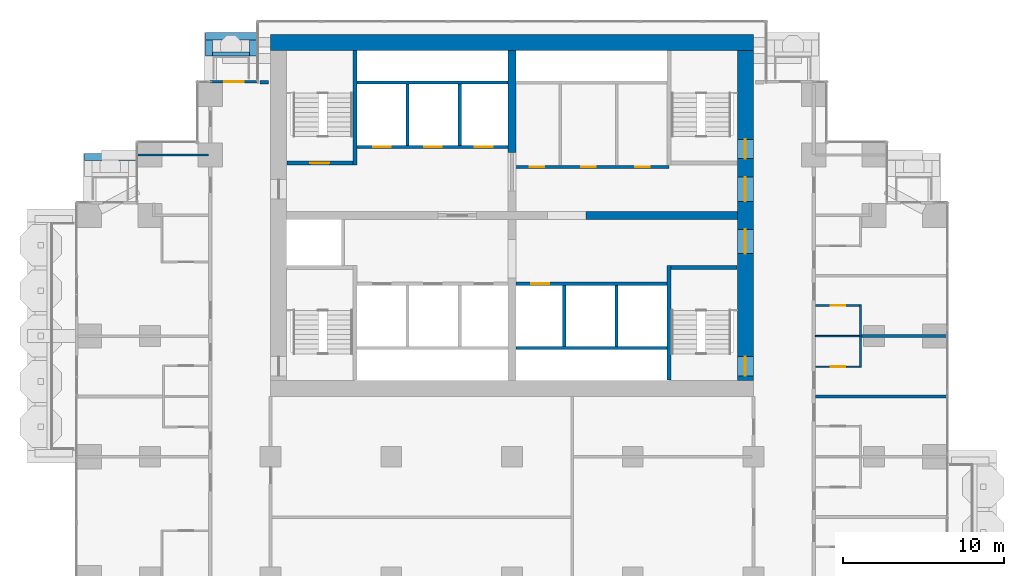
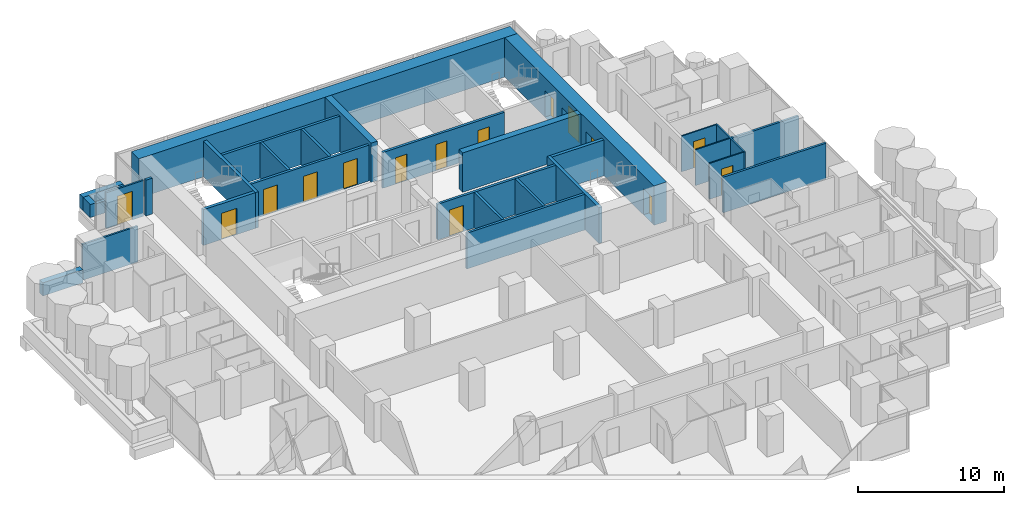
# One storey, part 14 of 18: 31 walls, 15 doors, 15 openings.
"""IFC4 building model written with IfcOpenShell, lengths in metres."""

from ifc_helpers import new_model, si_unit, direction, frame, frame_2d, origin, place, context, subcontext, project, spatial, rectangle, extrude, material, layer, layer_set, type_object, element, fill, save


model = new_model("IFC4")

# Units and contexts
model_context = context("Model", 3, precision=1e-05, world=origin(), true_north=direction((0.0, 1.0)))
body_context = subcontext(model_context, "Body", "Model", "MODEL_VIEW")
ifc_project = project(units=[si_unit("LENGTHUNIT", "METRE"), si_unit("AREAUNIT", "SQUARE_METRE"), si_unit("VOLUMEUNIT", "CUBIC_METRE"), si_unit("PLANEANGLEUNIT", "RADIAN"), si_unit("MASSUNIT", "GRAM", prefix="KILO")], contexts=[model_context])

# Site, building, storey
site_placement = place(None, origin())
site = spatial("IfcSite", under=ifc_project, at=site_placement, CompositionType="ELEMENT")
building_placement = place(site_placement, origin())
building = spatial("IfcBuilding", under=site, at=building_placement, Name="Pilkhan Gate Tower", CompositionType="ELEMENT")
storey_placement = place(building_placement, frame((0.0, 0.0, 82.39990234375)))
storey = spatial("IfcBuildingStorey", under=building, at=storey_placement, Name="L19", CompositionType="ELEMENT", Elevation=82.39990234375)

# Walls
ifc_material_1 = material(Name="Dense blockwork", Category="masonry")
ifc_layer_1 = layer(ifc_material_1, 0.175048828125)
ifc_layer_set_1 = layer_set([ifc_layer_1], Name="Acoustic party wall PW175")
wall_type_1 = type_object("IfcWallType", Name="Acoustic party wall PW175", PredefinedType="PARTITIONING", material=ifc_layer_set_1)
wall_1_placement = place(storey_placement, frame((93.85009765625, 71.25, 0.0), z_axis=(0.0, 0.0, 1.0), x_axis=(1.0, 0.0, 0.0)))
element("IfcWall", 1, at=wall_1_placement, inside=storey, type_object=wall_type_1, Name="Partition L19", PredefinedType="PARTITIONING", context=body_context, shape_type="SweptSolid", body=[
    extrude(rectangle(XDim=8.164794921875, YDim=0.175048828125, at=frame_2d((4.08251953125, 0.0))), origin(), (0.0, 0.0, 1.0), 3.0),
])
wall_2_placement = place(storey_placement, frame((96.699951171875, 75.0, 0.0), z_axis=(0.0, 0.0, 1.0), x_axis=(1.0, 0.0, 0.0)))
element("IfcWall", 2, at=wall_2_placement, inside=storey, type_object=wall_type_1, Name="Partition L19", PredefinedType="PARTITIONING", context=body_context, shape_type="SweptSolid", body=[
    extrude(rectangle(XDim=5.31494140625, YDim=0.175048828125, at=frame_2d((2.657470703125, 0.0))), origin(), (0.0, 0.0, 1.0), 3.0),
])
ifc_material_2 = material(Name="Concrete C40/50", Category="concrete")
ifc_layer_2 = layer(ifc_material_2, 0.25)
ifc_layer_set_2 = layer_set([ifc_layer_2], Name="Balcony planter BP250")
wall_type_2 = type_object("IfcWallType", Name="Balcony planter BP250", PredefinedType="USERDEFINED", material=ifc_layer_set_2)
wall_3_placement = place(storey_placement, frame((56.39990234375, 92.52490234375, 0.0), z_axis=(0.0, 0.0, 1.0), x_axis=(1.0, 0.0, 0.0)))
element("IfcWall", 3, at=wall_3_placement, inside=storey, type_object=wall_type_2, Name="Balcony planter L19 N", ObjectType="BALCONY PLANTER", PredefinedType="USERDEFINED", context=body_context, shape_type="SweptSolid", body=[
    extrude(rectangle(XDim=2.300048828125, YDim=0.25, at=frame_2d((1.14990234375, 0.0))), origin(), (0.0, 0.0, 1.0), 1.0),
])
ifc_material_3 = material(Name="Board-marked Concrete C40/50", Category="concrete")
ifc_layer_3 = layer(ifc_material_3, 0.449951171875)
ifc_layer_set_3 = layer_set([ifc_layer_3], Name="Balcony planter lip BL450")
wall_type_3 = type_object("IfcWallType", Name="Balcony planter lip BL450", PredefinedType="USERDEFINED", material=ifc_layer_set_3)
wall_4_placement = place(storey_placement, frame((55.949951171875, 93.625, 0.0), z_axis=(0.0, 0.0, 1.0), x_axis=(1.0, 0.0, 0.0)))
element("IfcWall", 4, at=wall_4_placement, inside=storey, type_object=wall_type_3, Name="Balcony planter L19 N", ObjectType="BALCONY PLANTER", PredefinedType="USERDEFINED", context=body_context, shape_type="SweptSolid", body=[
    extrude(rectangle(XDim=3.199951171875, YDim=0.449951171875, at=frame_2d((1.60009765625, 0.0))), origin(), (0.0, 0.0, 1.0), 1.10009765625),
])
for number, where, z_axis, x_axis, name in (
    (5, (56.175048828125, 92.39990234375, 0.0), (0.0, 0.0, 1.0), (0.0, 1.0, 0.0), "Balcony planter L19 N"),
    (6, (58.925048828125, 92.39990234375, 0.0), (0.0, 0.0, 1.0), (0.0, 1.0, 0.0), "Balcony planter L19 N"),
):
    element("IfcWall", number, at=place(storey_placement, frame(where, z_axis=z_axis, x_axis=x_axis)), inside=storey, type_object=wall_type_3, Name=name, ObjectType="BALCONY PLANTER", PredefinedType="USERDEFINED", context=body_context, shape_type="SweptSolid", body=[
        extrude(rectangle(XDim=1.0, YDim=0.449951171875, at=frame_2d((0.5, 0.0))), origin(), (0.0, 0.0, 1.0), 1.10009765625),
    ])
wall_5_placement = place(storey_placement, frame((48.449951171875, 86.125, 0.0), z_axis=(0.0, 0.0, 1.0), x_axis=(1.0, 0.0, 0.0)))
element("IfcWall", 7, at=wall_5_placement, inside=storey, type_object=wall_type_3, Name="Balcony planter L19 N", ObjectType="BALCONY PLANTER", PredefinedType="USERDEFINED", context=body_context, shape_type="SweptSolid", body=[
    extrude(rectangle(XDim=3.179931640625, YDim=0.449951171875, at=frame_2d((1.58984375, 0.0))), origin(), (0.0, 0.0, 1.0), 1.10009765625),
])

# Wall, openings, doors
ifc_material_4 = material(Name="Concrete C70/85", Category="concrete")
ifc_layer_4 = layer(ifc_material_4, 1.0)
ifc_layer_set_4 = layer_set([ifc_layer_4], Name="Core wall CW1000 C70/85")
wall_type_4 = type_object("IfcWallType", Name="Core wall CW1000 C70/85", PredefinedType="SHEAR", material=ifc_layer_set_4)
wall_6_placement = place(storey_placement, frame((89.5, 72.25, 0.0), z_axis=(0.0, 0.0, 1.0), x_axis=(0.0, 1.0, 0.0)))
wall_6 = element("IfcWall", 8, at=wall_6_placement, inside=storey, type_object=wall_type_4, Name="Core wall E L19", PredefinedType="SHEAR", context=body_context, shape_type="SweptSolid", body=[
    extrude(rectangle(XDim=20.5, YDim=1.0, at=frame_2d((10.25, 0.0))), origin(), (0.0, 0.0, 1.0), 3.300048828125),
])
opening_1_placement = place(wall_6_placement, frame((0.27490234375, 0.0, 0.0)))
opening_1 = element("IfcOpeningElement", 9, at=opening_1_placement, cuts=wall_6, Name="Opening L19-03", PredefinedType="OPENING", context=body_context, shape_type="SweptSolid", body=[
    extrude(rectangle(XDim=1.199951171875, YDim=2.199951171875, at=frame_2d((0.60009765625, 1.10009765625))), frame((0.0, 0.510009765625, 0.0), z_axis=(0.0, -1.0, 0.0), x_axis=(1.0, 0.0, 0.0)), (0.0, 0.0, 1.0), 1.02001953125),
])
opening_2_placement = place(wall_6_placement, frame((13.77490234375, 0.0, 0.0)))
opening_2 = element("IfcOpeningElement", 10, at=opening_2_placement, cuts=wall_6, Name="Opening L19-05", PredefinedType="OPENING", context=body_context, shape_type="SweptSolid", body=[
    extrude(rectangle(XDim=1.199951171875, YDim=2.199951171875, at=frame_2d((0.60009765625, 1.10009765625))), frame((0.0, 0.510009765625, 0.0), z_axis=(0.0, -1.0, 0.0), x_axis=(1.0, 0.0, 0.0)), (0.0, 0.0, 1.0), 1.02001953125),
])
opening_3_placement = place(wall_6_placement, frame((7.875, 0.0, 0.0)))
opening_3 = element("IfcOpeningElement", 11, at=opening_3_placement, cuts=wall_6, Name="Opening L19-44", PredefinedType="OPENING", context=body_context, shape_type="SweptSolid", body=[
    extrude(rectangle(XDim=1.5, YDim=2.199951171875, at=frame_2d((0.75, 1.10009765625))), frame((0.0, 0.510009765625, 0.0), z_axis=(0.0, -1.0, 0.0), x_axis=(1.0, 0.0, 0.0)), (0.0, 0.0, 1.0), 1.02001953125),
])
opening_4_placement = place(wall_6_placement, frame((11.125, 0.0, 0.0)))
opening_4 = element("IfcOpeningElement", 12, at=opening_4_placement, cuts=wall_6, Name="Opening L19-46", PredefinedType="OPENING", context=body_context, shape_type="SweptSolid", body=[
    extrude(rectangle(XDim=1.5, YDim=2.199951171875, at=frame_2d((0.75, 1.10009765625))), frame((0.0, 0.510009765625, 0.0), z_axis=(0.0, -1.0, 0.0), x_axis=(1.0, 0.0, 0.0)), (0.0, 0.0, 1.0), 1.02001953125),
])
ifc_material_5 = material(Name="Steel framed glazed door, 60 minute fire resisting", Category="steel")
door_type_1 = type_object("IfcDoorType", Name="Lobby door D09 1500x2200", OperationType="DOUBLE_DOOR_SINGLE_SWING", PredefinedType="DOOR", material=ifc_material_5)
door_1_placement = place(opening_3_placement, origin())
door_1 = element("IfcDoor", 13, at=door_1_placement, inside=storey, type_object=door_type_1, Name="Core door", OperationType="DOUBLE_DOOR_SINGLE_SWING", OverallHeight=2.199951171875, OverallWidth=1.5, PredefinedType="DOOR", context=body_context, shape_type="SweptSolid", body=[
    extrude(rectangle(XDim=1.5, YDim=2.199951171875, at=frame_2d((0.75, 1.10009765625))), frame((0.0, 0.02490234375, 0.0), z_axis=(0.0, -1.0, 0.0), x_axis=(1.0, 0.0, 0.0)), (0.0, 0.0, 1.0), 0.050048828125),
])
fill(opening_3, door_1)
door_2_placement = place(opening_4_placement, origin())
door_2 = element("IfcDoor", 14, at=door_2_placement, inside=storey, type_object=door_type_1, Name="Core door", OperationType="DOUBLE_DOOR_SINGLE_SWING", OverallHeight=2.199951171875, OverallWidth=1.5, PredefinedType="DOOR", context=body_context, shape_type="SweptSolid", body=[
    extrude(rectangle(XDim=1.5, YDim=2.199951171875, at=frame_2d((0.75, 1.10009765625))), frame((0.0, 0.02490234375, 0.0), z_axis=(0.0, -1.0, 0.0), x_axis=(1.0, 0.0, 0.0)), (0.0, 0.0, 1.0), 0.050048828125),
])
fill(opening_4, door_2)
ifc_material_6 = material(Name="Steel door, 120 minute fire resisting, panic bar", Category="steel")
door_type_2 = type_object("IfcDoorType", Name="Stair door D11 1200x2200", OperationType="SINGLE_SWING_LEFT", PredefinedType="DOOR", material=ifc_material_6)
door_3_placement = place(opening_1_placement, origin())
door_3 = element("IfcDoor", 15, at=door_3_placement, inside=storey, type_object=door_type_2, Name="Stair ST1 door", OperationType="SINGLE_SWING_LEFT", OverallHeight=2.199951171875, OverallWidth=1.199951171875, PredefinedType="DOOR", context=body_context, shape_type="SweptSolid", body=[
    extrude(rectangle(XDim=1.199951171875, YDim=2.199951171875, at=frame_2d((0.60009765625, 1.10009765625))), frame((0.0, 0.02490234375, 0.0), z_axis=(0.0, -1.0, 0.0), x_axis=(1.0, 0.0, 0.0)), (0.0, 0.0, 1.0), 0.050048828125),
])
fill(opening_1, door_3)
door_4_placement = place(opening_2_placement, origin())
door_4 = element("IfcDoor", 16, at=door_4_placement, inside=storey, type_object=door_type_2, Name="Stair ST4 door", OperationType="SINGLE_SWING_RIGHT", OverallHeight=2.199951171875, OverallWidth=1.199951171875, PredefinedType="DOOR", context=body_context, shape_type="SweptSolid", body=[
    extrude(rectangle(XDim=1.199951171875, YDim=2.199951171875, at=frame_2d((0.60009765625, 1.10009765625))), frame((0.0, 0.02490234375, 0.0), z_axis=(0.0, -1.0, 0.0), x_axis=(1.0, 0.0, 0.0)), (0.0, 0.0, 1.0), 0.050048828125),
])
fill(opening_2, door_4)

# Walls
wall_7_placement = place(storey_placement, frame((90.0, 93.25, 0.0), z_axis=(0.0, 0.0, 1.0), x_axis=(-1.0, 0.0, 0.0)))
element("IfcWall", 17, at=wall_7_placement, inside=storey, type_object=wall_type_4, Name="Core wall N L19", PredefinedType="SHEAR", context=body_context, shape_type="SweptSolid", body=[
    extrude(rectangle(XDim=30.0, YDim=1.0, at=frame_2d((15.0, 0.0))), origin(), (0.0, 0.0, 1.0), 3.300048828125),
])
ifc_layer_5 = layer(ifc_material_1, 0.199951171875)
ifc_layer_set_5 = layer_set([ifc_layer_5], Name="Corridor wall FW200")
wall_type_5 = type_object("IfcWallType", Name="Corridor wall FW200", PredefinedType="PARTITIONING", material=ifc_layer_set_5)
wall_8_placement = place(storey_placement, frame((59.35498046875, 90.764892578125, 0.0), z_axis=(0.0, 0.0, 1.0), x_axis=(1.0, 0.0, 0.0)))
element("IfcWall", 18, at=wall_8_placement, inside=storey, type_object=wall_type_5, Name="Partition L19", PredefinedType="PARTITIONING", context=body_context, shape_type="SweptSolid", body=[
    extrude(rectangle(XDim=0.52490234375, YDim=0.199951171875, at=frame_2d((0.262451171875, 0.0))), origin(), (0.0, 0.0, 1.0), 3.0),
])

# Wall, opening, door
ifc_material_7 = material(Name="Pale anodised aluminium, clear laminated glazing", Category="aluminium")
ifc_layer_6 = layer(ifc_material_7, 0.14990234375)
ifc_layer_set_6 = layer_set([ifc_layer_6], Name="Facade infill wall IW150")
wall_type_6 = type_object("IfcWallType", Name="Facade infill wall IW150", PredefinedType="SOLIDWALL", material=ifc_layer_set_6)
wall_9_placement = place(storey_placement, frame((56.25, 90.794921875, 0.0), z_axis=(0.0, 0.0, 1.0), x_axis=(1.0, 0.0, 0.0)))
wall_9 = element("IfcWall", 19, at=wall_9_placement, inside=storey, type_object=wall_type_6, Name="Infill wall L19 N", PredefinedType="SOLIDWALL", context=body_context, shape_type="SweptSolid", body=[
    extrude(rectangle(XDim=2.955078125, YDim=0.14990234375, at=frame_2d((1.4775390625, 0.0))), origin(), (0.0, 0.0, 1.0), 3.0),
])
opening_5_placement = place(wall_9_placement, frame((0.87744140625, 0.0, 0.0)))
opening_5 = element("IfcOpeningElement", 20, at=opening_5_placement, cuts=wall_9, Name="Opening D1", PredefinedType="OPENING", context=body_context, shape_type="SweptSolid", body=[
    extrude(rectangle(XDim=1.199951171875, YDim=2.39990234375, at=frame_2d((0.60009765625, 1.199951171875))), frame((0.0, 0.0849609375, 0.0), z_axis=(0.0, -1.0, 0.0), x_axis=(1.0, 0.0, 0.0)), (0.0, 0.0, 1.0), 0.169921875),
])
ifc_material_8 = material(Name="Pale anodised aluminium, clear glazing", Category="aluminium")
door_type_3 = type_object("IfcDoorType", Name="Balcony door D1 1200x2400", OperationType="SINGLE_SWING_LEFT", PredefinedType="DOOR", material=ifc_material_8)
door_5_placement = place(opening_5_placement, origin())
door_5 = element("IfcDoor", 21, at=door_5_placement, inside=storey, type_object=door_type_3, Name="Balcony door L19", OperationType="SINGLE_SWING_LEFT", OverallHeight=2.39990234375, OverallWidth=1.199951171875, PredefinedType="DOOR", context=body_context, shape_type="SweptSolid", body=[
    extrude(rectangle(XDim=1.199951171875, YDim=2.39990234375, at=frame_2d((0.60009765625, 1.199951171875))), frame((0.0, 0.02490234375, 0.0), z_axis=(0.0, -1.0, 0.0), x_axis=(1.0, 0.0, 0.0)), (0.0, 0.0, 1.0), 0.050048828125),
])
fill(opening_5, door_5)

# Wall, openings, doors
ifc_layer_7 = layer(ifc_material_1, 0.199951171875)
ifc_layer_set_7 = layer_set([ifc_layer_7], Name="Lobby wall LW200")
wall_type_7 = type_object("IfcWallType", Name="Lobby wall LW200", PredefinedType="PARTITIONING", material=ifc_layer_set_7)
wall_10_placement = place(storey_placement, frame((75.10009765625, 85.5, 0.0), z_axis=(0.0, 0.0, 1.0), x_axis=(1.0, 0.0, 0.0)))
wall_10 = element("IfcWall", 22, at=wall_10_placement, inside=storey, type_object=wall_type_7, Name="Partition L19", PredefinedType="PARTITIONING", context=body_context, shape_type="SweptSolid", body=[
    extrude(rectangle(XDim=9.64990234375, YDim=0.199951171875, at=frame_2d((4.824951171875, 0.0))), origin(), (0.0, 0.0, 1.0), 3.0),
])
opening_6_placement = place(wall_10_placement, frame((1.0, 0.0, 0.0)))
opening_6 = element("IfcOpeningElement", 23, at=opening_6_placement, cuts=wall_10, Name="Opening L19-47", PredefinedType="OPENING", context=body_context, shape_type="SweptSolid", body=[
    extrude(rectangle(XDim=0.89990234375, YDim=2.199951171875, at=frame_2d((0.449951171875, 1.10009765625))), frame((0.0, 0.10986328125, 0.0), z_axis=(0.0, -1.0, 0.0), x_axis=(1.0, 0.0, 0.0)), (0.0, 0.0, 1.0), 0.219970703125),
])
opening_7_placement = place(wall_10_placement, frame((4.199951171875, 0.0, 0.0)))
opening_7 = element("IfcOpeningElement", 24, at=opening_7_placement, cuts=wall_10, Name="Opening L19-48", PredefinedType="OPENING", context=body_context, shape_type="SweptSolid", body=[
    extrude(rectangle(XDim=0.89990234375, YDim=2.199951171875, at=frame_2d((0.449951171875, 1.10009765625))), frame((0.0, 0.10986328125, 0.0), z_axis=(0.0, -1.0, 0.0), x_axis=(1.0, 0.0, 0.0)), (0.0, 0.0, 1.0), 0.219970703125),
])
opening_8_placement = place(wall_10_placement, frame((7.550048828125, 0.0, 0.0)))
opening_8 = element("IfcOpeningElement", 25, at=opening_8_placement, cuts=wall_10, Name="Opening L19-49", PredefinedType="OPENING", context=body_context, shape_type="SweptSolid", body=[
    extrude(rectangle(XDim=0.89990234375, YDim=2.199951171875, at=frame_2d((0.449951171875, 1.10009765625))), frame((0.0, 0.10986328125, 0.0), z_axis=(0.0, -1.0, 0.0), x_axis=(1.0, 0.0, 0.0)), (0.0, 0.0, 1.0), 0.219970703125),
])
ifc_material_9 = material(Name="Timber flush door, 60 minute fire resisting, self-closing", Category="wood")
door_type_4 = type_object("IfcDoorType", Name="Store door D05 900x2200", OperationType="SINGLE_SWING_LEFT", PredefinedType="DOOR", material=ifc_material_9)
door_6_placement = place(opening_7_placement, origin())
door_6 = element("IfcDoor", 26, at=door_6_placement, inside=storey, type_object=door_type_4, Name="Store door", OperationType="SINGLE_SWING_RIGHT", OverallHeight=2.199951171875, OverallWidth=0.89990234375, PredefinedType="DOOR", context=body_context, shape_type="SweptSolid", body=[
    extrude(rectangle(XDim=0.89990234375, YDim=2.199951171875, at=frame_2d((0.449951171875, 1.10009765625))), frame((0.0, 0.02490234375, 0.0), z_axis=(0.0, -1.0, 0.0), x_axis=(1.0, 0.0, 0.0)), (0.0, 0.0, 1.0), 0.050048828125),
])
fill(opening_7, door_6)
door_7_placement = place(opening_8_placement, origin())
door_7 = element("IfcDoor", 27, at=door_7_placement, inside=storey, type_object=door_type_4, Name="Store door", OperationType="SINGLE_SWING_RIGHT", OverallHeight=2.199951171875, OverallWidth=0.89990234375, PredefinedType="DOOR", context=body_context, shape_type="SweptSolid", body=[
    extrude(rectangle(XDim=0.89990234375, YDim=2.199951171875, at=frame_2d((0.449951171875, 1.10009765625))), frame((0.0, 0.02490234375, 0.0), z_axis=(0.0, -1.0, 0.0), x_axis=(1.0, 0.0, 0.0)), (0.0, 0.0, 1.0), 0.050048828125),
])
fill(opening_8, door_7)
ifc_material_10 = material(Name="Timber flush door, 30 minute fire resisting", Category="wood")
door_type_5 = type_object("IfcDoorType", Name="Toilet door D06 900x2200", OperationType="SINGLE_SWING_LEFT", PredefinedType="DOOR", material=ifc_material_10)
door_8_placement = place(opening_6_placement, origin())
door_8 = element("IfcDoor", 28, at=door_8_placement, inside=storey, type_object=door_type_5, Name="Toilet door", OperationType="SINGLE_SWING_LEFT", OverallHeight=2.199951171875, OverallWidth=0.89990234375, PredefinedType="DOOR", context=body_context, shape_type="SweptSolid", body=[
    extrude(rectangle(XDim=0.89990234375, YDim=2.199951171875, at=frame_2d((0.449951171875, 1.10009765625))), frame((0.0, 0.02490234375, 0.0), z_axis=(0.0, -1.0, 0.0), x_axis=(1.0, 0.0, 0.0)), (0.0, 0.0, 1.0), 0.050048828125),
])
fill(opening_6, door_8)

# Walls
ifc_material_11 = material(Name="Blockwork partition, plastered both sides", Category="masonry")
ifc_layer_8 = layer(ifc_material_11, 0.14990234375)
ifc_layer_set_8 = layer_set([ifc_layer_8], Name="Partition PW150")
wall_type_8 = type_object("IfcWallType", Name="Partition PW150", PredefinedType="PARTITIONING", material=ifc_layer_set_8)
wall_11_placement = place(storey_placement, frame((51.735107421875, 86.25, 0.0), z_axis=(0.0, 0.0, 1.0), x_axis=(1.0, 0.0, 0.0)))
element("IfcWall", 29, at=wall_11_placement, inside=storey, type_object=wall_type_8, Name="Partition L19", PredefinedType="PARTITIONING", context=body_context, shape_type="SweptSolid", body=[
    extrude(rectangle(XDim=4.414794921875, YDim=0.14990234375, at=frame_2d((2.20751953125, 0.0))), origin(), (0.0, 0.0, 1.0), 3.0),
])
ifc_material_12 = material(Name="Reinforced blockwork shaft wall, 120 minute fire resisting", Category="masonry")
ifc_layer_9 = layer(ifc_material_12, 0.199951171875)
ifc_layer_set_9 = layer_set([ifc_layer_9], Name="Shaft wall SW200")
wall_type_9 = type_object("IfcWallType", Name="Shaft wall SW200", PredefinedType="PARTITIONING", material=ifc_layer_set_9)
wall_12_placement = place(storey_placement, frame((75.260009765625, 74.25, 0.0), z_axis=(0.0, 0.0, 1.0), x_axis=(1.0, 0.0, 0.0)))
element("IfcWall", 30, at=wall_12_placement, inside=storey, type_object=wall_type_9, Name="Partition L19", PredefinedType="PARTITIONING", context=body_context, shape_type="SweptSolid", body=[
    extrude(rectangle(XDim=9.364990234375, YDim=0.199951171875, at=frame_2d((4.6826171875, 0.0))), origin(), (0.0, 0.0, 1.0), 3.0),
])

# Wall, opening, door
wall_13_placement = place(storey_placement, frame((75.260009765625, 78.25, 0.0), z_axis=(0.0, 0.0, 1.0), x_axis=(1.0, 0.0, 0.0)))
wall_13 = element("IfcWall", 31, at=wall_13_placement, inside=storey, type_object=wall_type_9, Name="Partition L19", PredefinedType="PARTITIONING", context=body_context, shape_type="SweptSolid", body=[
    extrude(rectangle(XDim=9.364990234375, YDim=0.199951171875, at=frame_2d((4.6826171875, 0.0))), origin(), (0.0, 0.0, 1.0), 3.0),
])
opening_9_placement = place(wall_13_placement, frame((0.949951171875, 0.0, 0.0)))
opening_9 = element("IfcOpeningElement", 32, at=opening_9_placement, cuts=wall_13, Name="Opening LD", PredefinedType="OPENING", context=body_context, shape_type="SweptSolid", body=[
    extrude(rectangle(XDim=1.10009765625, YDim=2.199951171875, at=frame_2d((0.550048828125, 1.10009765625))), frame((0.0, 0.10986328125, 0.0), z_axis=(0.0, -1.0, 0.0), x_axis=(1.0, 0.0, 0.0)), (0.0, 0.0, 1.0), 0.219970703125),
])
ifc_material_13 = material(Name="Stainless steel centre-opening landing door, 120 minute fire resisting", Category="steel")
door_type_6 = type_object("IfcDoorType", Name="Lift landing door LD 1100x2200", OperationType="DOUBLE_DOOR_SLIDING", PredefinedType="DOOR", material=ifc_material_13)
door_9_placement = place(opening_9_placement, origin())
door_9 = element("IfcDoor", 33, at=door_9_placement, inside=storey, type_object=door_type_6, Name="Landing door LR4", OperationType="DOUBLE_DOOR_SLIDING", OverallHeight=2.199951171875, OverallWidth=1.10009765625, PredefinedType="DOOR", context=body_context, shape_type="SweptSolid", body=[
    extrude(rectangle(XDim=1.10009765625, YDim=2.199951171875, at=frame_2d((0.550048828125, 1.10009765625))), frame((0.0, 0.02490234375, 0.0), z_axis=(0.0, -1.0, 0.0), x_axis=(1.0, 0.0, 0.0)), (0.0, 0.0, 1.0), 0.050048828125),
])
fill(opening_9, door_9)

# Wall, openings, doors
wall_14_placement = place(storey_placement, frame((65.375, 86.75, 0.0), z_axis=(0.0, 0.0, 1.0), x_axis=(1.0, 0.0, 0.0)))
wall_14 = element("IfcWall", 34, at=wall_14_placement, inside=storey, type_object=wall_type_9, Name="Partition L19", PredefinedType="PARTITIONING", context=body_context, shape_type="SweptSolid", body=[
    extrude(rectangle(XDim=9.364990234375, YDim=0.199951171875, at=frame_2d((4.6826171875, 0.0))), origin(), (0.0, 0.0, 1.0), 3.0),
])
opening_10_placement = place(wall_14_placement, frame((1.0, 0.0, 0.0)))
opening_10 = element("IfcOpeningElement", 35, at=opening_10_placement, cuts=wall_14, Name="Opening LD", PredefinedType="OPENING", context=body_context, shape_type="SweptSolid", body=[
    extrude(rectangle(XDim=1.10009765625, YDim=2.199951171875, at=frame_2d((0.550048828125, 1.10009765625))), frame((0.0, 0.10986328125, 0.0), z_axis=(0.0, -1.0, 0.0), x_axis=(1.0, 0.0, 0.0)), (0.0, 0.0, 1.0), 0.219970703125),
])
opening_11_placement = place(wall_14_placement, frame((4.175048828125, 0.0, 0.0)))
opening_11 = element("IfcOpeningElement", 36, at=opening_11_placement, cuts=wall_14, Name="Opening LD", PredefinedType="OPENING", context=body_context, shape_type="SweptSolid", body=[
    extrude(rectangle(XDim=1.10009765625, YDim=2.199951171875, at=frame_2d((0.550048828125, 1.10009765625))), frame((0.0, 0.10986328125, 0.0), z_axis=(0.0, -1.0, 0.0), x_axis=(1.0, 0.0, 0.0)), (0.0, 0.0, 1.0), 0.219970703125),
])
opening_12_placement = place(wall_14_placement, frame((7.324951171875, 0.0, 0.0)))
opening_12 = element("IfcOpeningElement", 37, at=opening_12_placement, cuts=wall_14, Name="Opening LD", PredefinedType="OPENING", context=body_context, shape_type="SweptSolid", body=[
    extrude(rectangle(XDim=1.10009765625, YDim=2.199951171875, at=frame_2d((0.550048828125, 1.10009765625))), frame((0.0, 0.10986328125, 0.0), z_axis=(0.0, -1.0, 0.0), x_axis=(1.0, 0.0, 0.0)), (0.0, 0.0, 1.0), 0.219970703125),
])
door_10_placement = place(opening_10_placement, origin())
door_10 = element("IfcDoor", 38, at=door_10_placement, inside=storey, type_object=door_type_6, Name="Landing door FF1", OperationType="DOUBLE_DOOR_SLIDING", OverallHeight=2.199951171875, OverallWidth=1.10009765625, PredefinedType="DOOR", context=body_context, shape_type="SweptSolid", body=[
    extrude(rectangle(XDim=1.10009765625, YDim=2.199951171875, at=frame_2d((0.550048828125, 1.10009765625))), frame((0.0, 0.02490234375, 0.0), z_axis=(0.0, -1.0, 0.0), x_axis=(1.0, 0.0, 0.0)), (0.0, 0.0, 1.0), 0.050048828125),
])
fill(opening_10, door_10)
door_11_placement = place(opening_11_placement, origin())
door_11 = element("IfcDoor", 39, at=door_11_placement, inside=storey, type_object=door_type_6, Name="Landing door FF2", OperationType="DOUBLE_DOOR_SLIDING", OverallHeight=2.199951171875, OverallWidth=1.10009765625, PredefinedType="DOOR", context=body_context, shape_type="SweptSolid", body=[
    extrude(rectangle(XDim=1.10009765625, YDim=2.199951171875, at=frame_2d((0.550048828125, 1.10009765625))), frame((0.0, 0.02490234375, 0.0), z_axis=(0.0, -1.0, 0.0), x_axis=(1.0, 0.0, 0.0)), (0.0, 0.0, 1.0), 0.050048828125),
])
fill(opening_11, door_11)
door_12_placement = place(opening_12_placement, origin())
door_12 = element("IfcDoor", 40, at=door_12_placement, inside=storey, type_object=door_type_6, Name="Landing door SV1", OperationType="DOUBLE_DOOR_SLIDING", OverallHeight=2.199951171875, OverallWidth=1.10009765625, PredefinedType="DOOR", context=body_context, shape_type="SweptSolid", body=[
    extrude(rectangle(XDim=1.10009765625, YDim=2.199951171875, at=frame_2d((0.550048828125, 1.10009765625))), frame((0.0, 0.02490234375, 0.0), z_axis=(0.0, -1.0, 0.0), x_axis=(1.0, 0.0, 0.0)), (0.0, 0.0, 1.0), 0.050048828125),
])
fill(opening_12, door_12)

# Walls
wall_15_placement = place(storey_placement, frame((65.375, 90.75, 0.0), z_axis=(0.0, 0.0, 1.0), x_axis=(1.0, 0.0, 0.0)))
element("IfcWall", 41, at=wall_15_placement, inside=storey, type_object=wall_type_9, Name="Partition L19", PredefinedType="PARTITIONING", context=body_context, shape_type="SweptSolid", body=[
    extrude(rectangle(XDim=9.364990234375, YDim=0.199951171875, at=frame_2d((4.6826171875, 0.0))), origin(), (0.0, 0.0, 1.0), 3.0),
])
for number, where, z_axis, x_axis, name in (
    (42, (68.5, 86.85009765625, 0.0), (0.0, 0.0, 1.0), (0.0, 1.0, 0.0), "Partition L19"),
    (43, (71.75, 86.85009765625, 0.0), (0.0, 0.0, 1.0), (0.0, 1.0, 0.0), "Partition L19"),
    (44, (78.25, 74.35009765625, 0.0), (0.0, 0.0, 1.0), (0.0, 1.0, 0.0), "Partition L19"),
    (45, (81.5, 74.35009765625, 0.0), (0.0, 0.0, 1.0), (0.0, 1.0, 0.0), "Partition L19"),
):
    element("IfcWall", number, at=place(storey_placement, frame(where, z_axis=z_axis, x_axis=x_axis)), inside=storey, type_object=wall_type_9, Name=name, PredefinedType="PARTITIONING", context=body_context, shape_type="SweptSolid", body=[
        extrude(rectangle(XDim=3.7998046875, YDim=0.199951171875, at=frame_2d((1.89990234375, 0.0))), origin(), (0.0, 0.0, 1.0), 3.0),
    ])
ifc_layer_10 = layer(ifc_material_4, 0.5)
ifc_layer_set_10 = layer_set([ifc_layer_10], Name="Spine wall SW500 C70/85")
wall_type_10 = type_object("IfcWallType", Name="Spine wall SW500 C70/85", PredefinedType="SHEAR", material=ifc_layer_set_10)
wall_16_placement = place(storey_placement, frame((79.60009765625, 82.5, 0.0), z_axis=(0.0, 0.0, 1.0), x_axis=(1.0, 0.0, 0.0)))
element("IfcWall", 46, at=wall_16_placement, inside=storey, type_object=wall_type_10, Name="Spine wall SP-EW3 L19", PredefinedType="SHEAR", context=body_context, shape_type="SweptSolid", body=[
    extrude(rectangle(XDim=9.39990234375, YDim=0.5, at=frame_2d((4.699951171875, 0.0))), origin(), (0.0, 0.0, 1.0), 3.300048828125),
])
wall_17_placement = place(storey_placement, frame((75.0, 86.39990234375, 0.0), z_axis=(0.0, 0.0, 1.0), x_axis=(0.0, 1.0, 0.0)))
element("IfcWall", 47, at=wall_17_placement, inside=storey, type_object=wall_type_10, Name="Spine wall SP-NS-N2 L19", PredefinedType="SHEAR", context=body_context, shape_type="SweptSolid", body=[
    extrude(rectangle(XDim=6.35009765625, YDim=0.5, at=frame_2d((3.175048828125, 0.0))), origin(), (0.0, 0.0, 1.0), 3.300048828125),
])
ifc_material_14 = material(Name="Reinforced blockwork, 120 minute fire resisting", Category="masonry")
ifc_layer_11 = layer(ifc_material_14, 0.25)
ifc_layer_set_11 = layer_set([ifc_layer_11], Name="Stair enclosure wall SE250")
wall_type_11 = type_object("IfcWallType", Name="Stair enclosure wall SE250", PredefinedType="PARTITIONING", material=ifc_layer_set_11)
wall_18_placement = place(storey_placement, frame((84.875, 79.25, 0.0), z_axis=(0.0, 0.0, 1.0), x_axis=(1.0, 0.0, 0.0)))
element("IfcWall", 48, at=wall_18_placement, inside=storey, type_object=wall_type_11, Name="Partition L19", PredefinedType="PARTITIONING", context=body_context, shape_type="SweptSolid", body=[
    extrude(rectangle(XDim=4.114990234375, YDim=0.25, at=frame_2d((2.0576171875, 0.0))), origin(), (0.0, 0.0, 1.0), 3.0),
])

# Wall, opening, door
wall_19_placement = place(storey_placement, frame((61.010009765625, 85.75, 0.0), z_axis=(0.0, 0.0, 1.0), x_axis=(1.0, 0.0, 0.0)))
wall_19 = element("IfcWall", 49, at=wall_19_placement, inside=storey, type_object=wall_type_11, Name="Partition L19", PredefinedType="PARTITIONING", context=body_context, shape_type="SweptSolid", body=[
    extrude(rectangle(XDim=4.114990234375, YDim=0.25, at=frame_2d((2.0576171875, 0.0))), origin(), (0.0, 0.0, 1.0), 3.0),
])
opening_13_placement = place(wall_19_placement, frame((1.449951171875, 0.0, 0.0)))
opening_13 = element("IfcOpeningElement", 50, at=opening_13_placement, cuts=wall_19, Name="Opening L19-02", PredefinedType="OPENING", context=body_context, shape_type="SweptSolid", body=[
    extrude(rectangle(XDim=1.199951171875, YDim=2.199951171875, at=frame_2d((0.60009765625, 1.10009765625))), frame((0.0, 0.135009765625, 0.0), z_axis=(0.0, -1.0, 0.0), x_axis=(1.0, 0.0, 0.0)), (0.0, 0.0, 1.0), 0.27001953125),
])
door_13_placement = place(opening_13_placement, origin())
door_13 = element("IfcDoor", 51, at=door_13_placement, inside=storey, type_object=door_type_2, Name="Stair ST3 lobby door", OperationType="SINGLE_SWING_LEFT", OverallHeight=2.199951171875, OverallWidth=1.199951171875, PredefinedType="DOOR", context=body_context, shape_type="SweptSolid", body=[
    extrude(rectangle(XDim=1.199951171875, YDim=2.199951171875, at=frame_2d((0.60009765625, 1.10009765625))), frame((0.0, 0.02490234375, 0.0), z_axis=(0.0, -1.0, 0.0), x_axis=(1.0, 0.0, 0.0)), (0.0, 0.0, 1.0), 0.050048828125),
])
fill(opening_13, door_13)

# Walls
for number, where, z_axis, x_axis, name in (
    (52, (65.25, 85.625, 0.0), (0.0, 0.0, 1.0), (0.0, 1.0, 0.0), "Partition L19"),
    (53, (84.75, 72.260009765625, 0.0), (0.0, 0.0, 1.0), (0.0, 1.0, 0.0), "Partition L19"),
):
    element("IfcWall", number, at=place(storey_placement, frame(where, z_axis=z_axis, x_axis=x_axis)), inside=storey, type_object=wall_type_11, Name=name, PredefinedType="PARTITIONING", context=body_context, shape_type="SweptSolid", body=[
        extrude(rectangle(XDim=7.114990234375, YDim=0.25, at=frame_2d((3.5576171875, 0.0))), origin(), (0.0, 0.0, 1.0), 3.0),
    ])

# Wall, opening, door
ifc_material_15 = material(Name="Moisture resistant board, tiled")
ifc_layer_12 = layer(ifc_material_15, 0.10009765625)
ifc_layer_set_12 = layer_set([ifc_layer_12], Name="Wet wall PW100")
wall_type_12 = type_object("IfcWallType", Name="Wet wall PW100", PredefinedType="PARTITIONING", material=ifc_layer_set_12)
wall_20_placement = place(storey_placement, frame((93.85009765625, 73.10009765625, 0.0), z_axis=(0.0, 0.0, 1.0), x_axis=(1.0, 0.0, 0.0)))
wall_20 = element("IfcWall", 54, at=wall_20_placement, inside=storey, type_object=wall_type_12, Name="Partition L19", PredefinedType="PARTITIONING", context=body_context, shape_type="SweptSolid", body=[
    extrude(rectangle(XDim=2.75, YDim=0.10009765625, at=frame_2d((1.375, 0.0))), origin(), (0.0, 0.0, 1.0), 3.0),
])
opening_14_placement = place(wall_20_placement, frame((0.949951171875, 0.0, 0.0)))
opening_14 = element("IfcOpeningElement", 55, at=opening_14_placement, cuts=wall_20, Name="Opening L19-39", PredefinedType="OPENING", context=body_context, shape_type="SweptSolid", body=[
    extrude(rectangle(XDim=0.89990234375, YDim=2.199951171875, at=frame_2d((0.449951171875, 1.10009765625))), frame((0.0, 0.06005859375, 0.0), z_axis=(0.0, -1.0, 0.0), x_axis=(1.0, 0.0, 0.0)), (0.0, 0.0, 1.0), 0.1201171875),
])
ifc_material_16 = material(Name="Timber flush door", Category="wood")
door_type_7 = type_object("IfcDoorType", Name="Bathroom door D02 900x2200", OperationType="SINGLE_SWING_RIGHT", PredefinedType="DOOR", material=ifc_material_16)
door_14_placement = place(opening_14_placement, origin())
door_14 = element("IfcDoor", 56, at=door_14_placement, inside=storey, type_object=door_type_7, Name="Bathroom door", OperationType="SINGLE_SWING_RIGHT", OverallHeight=2.199951171875, OverallWidth=0.89990234375, PredefinedType="DOOR", context=body_context, shape_type="SweptSolid", body=[
    extrude(rectangle(XDim=0.89990234375, YDim=2.199951171875, at=frame_2d((0.449951171875, 1.10009765625))), frame((0.0, 0.02490234375, 0.0), z_axis=(0.0, -1.0, 0.0), x_axis=(1.0, 0.0, 0.0)), (0.0, 0.0, 1.0), 0.050048828125),
])
fill(opening_14, door_14)

# Wall
wall_21_placement = place(storey_placement, frame((93.85009765625, 75.0, 0.0), z_axis=(0.0, 0.0, 1.0), x_axis=(1.0, 0.0, 0.0)))
element("IfcWall", 57, at=wall_21_placement, inside=storey, type_object=wall_type_12, Name="Partition L19", PredefinedType="PARTITIONING", context=body_context, shape_type="SweptSolid", body=[
    extrude(rectangle(XDim=2.75, YDim=0.10009765625, at=frame_2d((1.375, 0.0))), origin(), (0.0, 0.0, 1.0), 3.0),
])

# Wall, opening, door
wall_22_placement = place(storey_placement, frame((93.85009765625, 76.89990234375, 0.0), z_axis=(0.0, 0.0, 1.0), x_axis=(1.0, 0.0, 0.0)))
wall_22 = element("IfcWall", 58, at=wall_22_placement, inside=storey, type_object=wall_type_12, Name="Partition L19", PredefinedType="PARTITIONING", context=body_context, shape_type="SweptSolid", body=[
    extrude(rectangle(XDim=2.75, YDim=0.10009765625, at=frame_2d((1.375, 0.0))), origin(), (0.0, 0.0, 1.0), 3.0),
])
opening_15_placement = place(wall_22_placement, frame((0.949951171875, 0.0, 0.0)))
opening_15 = element("IfcOpeningElement", 59, at=opening_15_placement, cuts=wall_22, Name="Opening L19-41", PredefinedType="OPENING", context=body_context, shape_type="SweptSolid", body=[
    extrude(rectangle(XDim=0.89990234375, YDim=2.199951171875, at=frame_2d((0.449951171875, 1.10009765625))), frame((0.0, 0.06005859375, 0.0), z_axis=(0.0, -1.0, 0.0), x_axis=(1.0, 0.0, 0.0)), (0.0, 0.0, 1.0), 0.1201171875),
])
door_15_placement = place(opening_15_placement, origin())
door_15 = element("IfcDoor", 60, at=door_15_placement, inside=storey, type_object=door_type_7, Name="Bathroom door", OperationType="SINGLE_SWING_RIGHT", OverallHeight=2.199951171875, OverallWidth=0.89990234375, PredefinedType="DOOR", context=body_context, shape_type="SweptSolid", body=[
    extrude(rectangle(XDim=0.89990234375, YDim=2.199951171875, at=frame_2d((0.449951171875, 1.10009765625))), frame((0.0, 0.02490234375, 0.0), z_axis=(0.0, -1.0, 0.0), x_axis=(1.0, 0.0, 0.0)), (0.0, 0.0, 1.0), 0.050048828125),
])
fill(opening_15, door_15)

# Wall
wall_23_placement = place(storey_placement, frame((96.64990234375, 73.050048828125, 0.0), z_axis=(0.0, 0.0, 1.0), x_axis=(0.0, 1.0, 0.0)))
element("IfcWall", 61, at=wall_23_placement, inside=storey, type_object=wall_type_12, Name="Partition L19", PredefinedType="PARTITIONING", context=body_context, shape_type="SweptSolid", body=[
    extrude(rectangle(XDim=3.89990234375, YDim=0.10009765625, at=frame_2d((1.949951171875, 0.0))), origin(), (0.0, 0.0, 1.0), 3.0),
])

save(model, "model.ifc")
